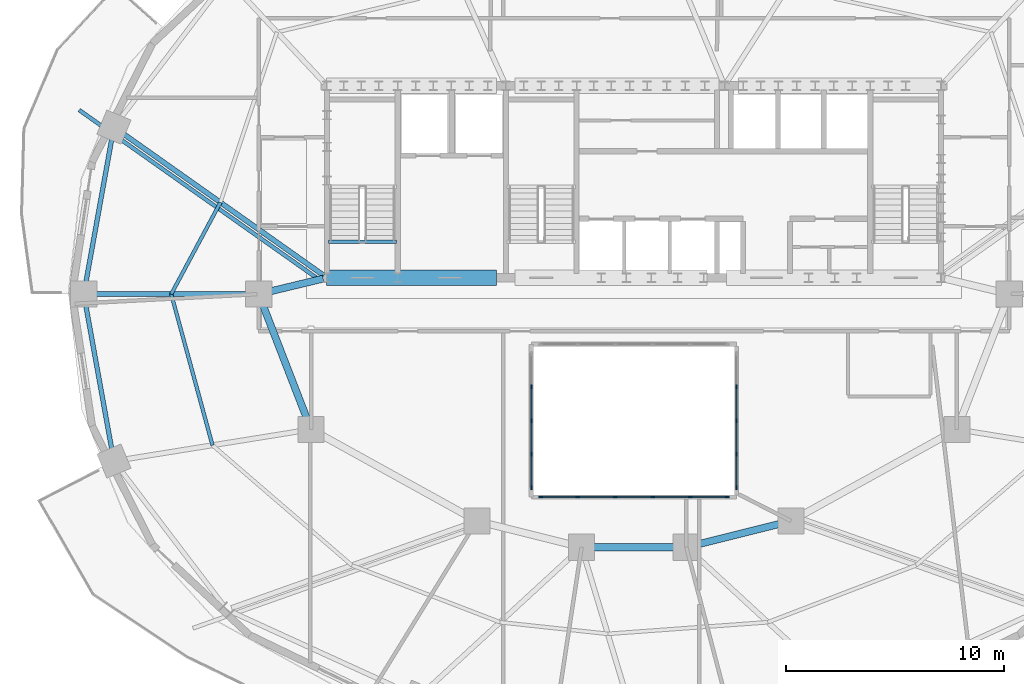
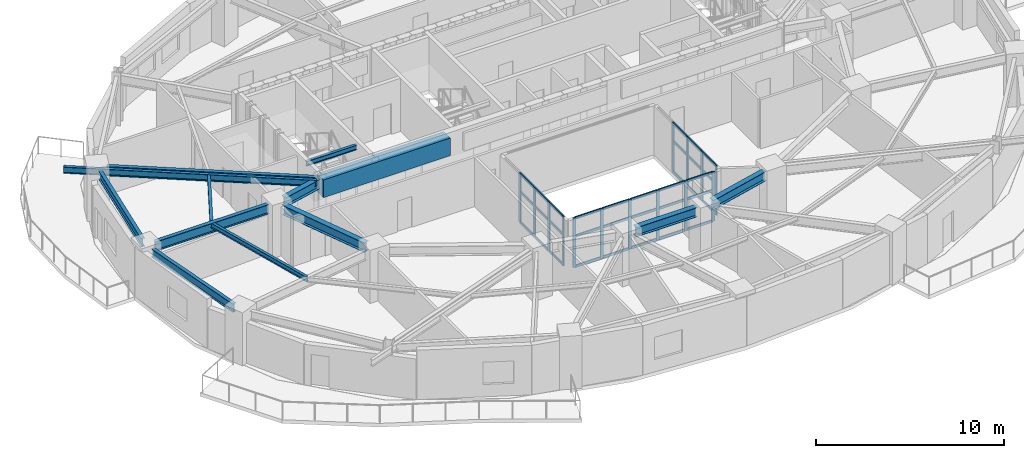
# One storey, part 2 of 11: 47 members, 13 beams, 3 elements without a shape of their own.
"""IFC4 building model written with IfcOpenShell, lengths in metres."""

from ifc_helpers import new_model, si_unit, direction, frame, origin, origin_2d, place, context, subcontext, project, spatial, rectangle, i_section, extrude, material, material_profile, profile_set, type_object, element, aggregate, save


model = new_model("IFC4")

# Units and contexts
model_context = context("Model", 3, precision=1e-05, world=origin(), true_north=direction((0.0, 1.0)))
body_context = subcontext(model_context, "Body", "Model", "MODEL_VIEW")
ifc_project = project(units=[si_unit("LENGTHUNIT", "METRE"), si_unit("AREAUNIT", "SQUARE_METRE"), si_unit("VOLUMEUNIT", "CUBIC_METRE"), si_unit("PLANEANGLEUNIT", "RADIAN"), si_unit("MASSUNIT", "GRAM", prefix="KILO")], contexts=[model_context])

# Site, building, storey
site_placement = place(None, origin())
site = spatial("IfcSite", under=ifc_project, at=site_placement, CompositionType="ELEMENT")
building_placement = place(site_placement, origin())
building = spatial("IfcBuilding", under=site, at=building_placement, Name="Haldorwick Loom Tower", CompositionType="ELEMENT")
storey_placement = place(building_placement, frame((0.0, 0.0, 171.699951171875)))
storey = spatial("IfcBuildingStorey", under=building, at=storey_placement, Name="L46", CompositionType="ELEMENT", Elevation=171.699951171875)

# Curtain wall, members
ifc_material_1 = material(Name="Thermally Broken Anodized Aluminium Curtain Wall Framing", Category="aluminium")
curtain_wall_type = type_object("IfcCurtainWallType", Name="ARC-CW-03", PredefinedType="NOTDEFINED", material=ifc_material_1)
curtain_wall_1_placement = place(storey_placement, origin())
curtain_wall_1 = element("IfcCurtainWall", 1, at=curtain_wall_1_placement, inside=storey, type_object=curtain_wall_type, Name="L46 Atrium Glazed Screen S", PredefinedType="NOTDEFINED")
ifc_material_profile_1 = material_profile(ifc_material_1, rectangle(XDim=0.06591796875, YDim=0.18505859375, at=origin_2d()), Name="ALU_MUL_66X185", Category="aluminium")
ifc_profile_set_1 = profile_set([ifc_material_profile_1], Name="Thermally Broken Anodized Aluminium Curtain Wall Framing")
member_type_1 = type_object("IfcMemberType", Name="ARC-CWM-03", PredefinedType="MULLION", material=ifc_profile_set_1)
member_1_placement = place(storey_placement, frame((40.26708984375, 16.699951171875, 0.0), z_axis=(0.0, 0.0, 1.0), x_axis=(0.0, -1.0, 0.0)))
member_1 = element("IfcMember", 2, at=member_1_placement, type_object=member_type_1, Name="CW-03 mullion 1", PredefinedType="MULLION", context=body_context, shape_type="SweptSolid", body=[
    extrude(rectangle(XDim=0.06591796875, YDim=0.18505859375, at=origin_2d()), origin(), (0.0, 0.0, 1.0), 3.2099609375),
])
member_2_placement = place(storey_placement, frame((38.580078125, 16.699951171875, 0.0), z_axis=(0.0, 0.0, 1.0), x_axis=(0.0, -1.0, 0.0)))
member_2 = element("IfcMember", 3, at=member_2_placement, type_object=member_type_1, Name="CW-03 mullion 2", PredefinedType="MULLION", context=body_context, shape_type="SweptSolid", body=[
    extrude(rectangle(XDim=0.06591796875, YDim=0.18505859375, at=origin_2d()), origin(), (0.0, 0.0, 1.0), 3.2099609375),
])
member_3_placement = place(storey_placement, frame((36.860107421875, 16.699951171875, 0.0), z_axis=(0.0, 0.0, 1.0), x_axis=(0.0, -1.0, 0.0)))
member_3 = element("IfcMember", 4, at=member_3_placement, type_object=member_type_1, Name="CW-03 mullion 3", PredefinedType="MULLION", context=body_context, shape_type="SweptSolid", body=[
    extrude(rectangle(XDim=0.06591796875, YDim=0.18505859375, at=origin_2d()), origin(), (0.0, 0.0, 1.0), 3.2099609375),
])
member_4_placement = place(storey_placement, frame((35.139892578125, 16.699951171875, 0.0), z_axis=(0.0, 0.0, 1.0), x_axis=(0.0, -1.0, 0.0)))
member_4 = element("IfcMember", 5, at=member_4_placement, type_object=member_type_1, Name="CW-03 mullion 4", PredefinedType="MULLION", context=body_context, shape_type="SweptSolid", body=[
    extrude(rectangle(XDim=0.06591796875, YDim=0.18505859375, at=origin_2d()), origin(), (0.0, 0.0, 1.0), 3.2099609375),
])
member_5_placement = place(storey_placement, frame((33.419921875, 16.699951171875, 0.0), z_axis=(0.0, 0.0, 1.0), x_axis=(0.0, -1.0, 0.0)))
member_5 = element("IfcMember", 6, at=member_5_placement, type_object=member_type_1, Name="CW-03 mullion 5", PredefinedType="MULLION", context=body_context, shape_type="SweptSolid", body=[
    extrude(rectangle(XDim=0.06591796875, YDim=0.18505859375, at=origin_2d()), origin(), (0.0, 0.0, 1.0), 3.2099609375),
])
member_6_placement = place(storey_placement, frame((31.73291015625, 16.699951171875, 0.0), z_axis=(0.0, 0.0, 1.0), x_axis=(0.0, -1.0, 0.0)))
member_6 = element("IfcMember", 7, at=member_6_placement, type_object=member_type_1, Name="CW-03 mullion 6", PredefinedType="MULLION", context=body_context, shape_type="SweptSolid", body=[
    extrude(rectangle(XDim=0.06591796875, YDim=0.18505859375, at=origin_2d()), origin(), (0.0, 0.0, 1.0), 3.2099609375),
])

curtain_wall_2_placement = place(storey_placement, origin())
curtain_wall_2 = element("IfcCurtainWall", 8, at=curtain_wall_2_placement, inside=storey, type_object=curtain_wall_type, Name="L46 Atrium Glazed Screen W", PredefinedType="NOTDEFINED")
member_7_placement = place(storey_placement, frame((31.300048828125, 17.133056640625, 0.0), z_axis=(0.0, 0.0, 1.0), x_axis=(-1.0, 0.0, 0.0)))
member_7 = element("IfcMember", 9, at=member_7_placement, type_object=member_type_1, Name="CW-03 mullion 1", PredefinedType="MULLION", context=body_context, shape_type="SweptSolid", body=[
    extrude(rectangle(XDim=0.06591796875, YDim=0.18505859375, at=origin_2d()), origin(), (0.0, 0.0, 1.0), 3.2099609375),
])
member_8_placement = place(storey_placement, frame((31.300048828125, 18.64990234375, 0.0), z_axis=(0.0, 0.0, 1.0), x_axis=(-1.0, 0.0, 0.0)))
member_8 = element("IfcMember", 10, at=member_8_placement, type_object=member_type_1, Name="CW-03 mullion 2", PredefinedType="MULLION", context=body_context, shape_type="SweptSolid", body=[
    extrude(rectangle(XDim=0.06591796875, YDim=0.18505859375, at=origin_2d()), origin(), (0.0, 0.0, 1.0), 3.2099609375),
])
member_9_placement = place(storey_placement, frame((31.300048828125, 20.199951171875, 0.0), z_axis=(0.0, 0.0, 1.0), x_axis=(-1.0, 0.0, 0.0)))
member_9 = element("IfcMember", 11, at=member_9_placement, type_object=member_type_1, Name="CW-03 mullion 3", PredefinedType="MULLION", context=body_context, shape_type="SweptSolid", body=[
    extrude(rectangle(XDim=0.06591796875, YDim=0.18505859375, at=origin_2d()), origin(), (0.0, 0.0, 1.0), 3.2099609375),
])
member_10_placement = place(storey_placement, frame((31.300048828125, 21.75, 0.0), z_axis=(0.0, 0.0, 1.0), x_axis=(-1.0, 0.0, 0.0)))
member_10 = element("IfcMember", 12, at=member_10_placement, type_object=member_type_1, Name="CW-03 mullion 4", PredefinedType="MULLION", context=body_context, shape_type="SweptSolid", body=[
    extrude(rectangle(XDim=0.06591796875, YDim=0.18505859375, at=origin_2d()), origin(), (0.0, 0.0, 1.0), 3.2099609375),
])

curtain_wall_3_placement = place(storey_placement, origin())
curtain_wall_3 = element("IfcCurtainWall", 13, at=curtain_wall_3_placement, inside=storey, type_object=curtain_wall_type, Name="L46 Atrium Glazed Screen E", PredefinedType="NOTDEFINED")
member_11_placement = place(storey_placement, frame((40.699951171875, 21.75, 0.0), z_axis=(0.0, 0.0, 1.0), x_axis=(1.0, 0.0, 0.0)))
member_11 = element("IfcMember", 14, at=member_11_placement, type_object=member_type_1, Name="CW-03 mullion 2", PredefinedType="MULLION", context=body_context, shape_type="SweptSolid", body=[
    extrude(rectangle(XDim=0.06591796875, YDim=0.18505859375, at=origin_2d()), origin(), (0.0, 0.0, 1.0), 3.2099609375),
])
member_12_placement = place(storey_placement, frame((40.699951171875, 20.199951171875, 0.0), z_axis=(0.0, 0.0, 1.0), x_axis=(1.0, 0.0, 0.0)))
member_12 = element("IfcMember", 15, at=member_12_placement, type_object=member_type_1, Name="CW-03 mullion 3", PredefinedType="MULLION", context=body_context, shape_type="SweptSolid", body=[
    extrude(rectangle(XDim=0.06591796875, YDim=0.18505859375, at=origin_2d()), origin(), (0.0, 0.0, 1.0), 3.2099609375),
])
member_13_placement = place(storey_placement, frame((40.699951171875, 18.64990234375, 0.0), z_axis=(0.0, 0.0, 1.0), x_axis=(1.0, 0.0, 0.0)))
member_13 = element("IfcMember", 16, at=member_13_placement, type_object=member_type_1, Name="CW-03 mullion 4", PredefinedType="MULLION", context=body_context, shape_type="SweptSolid", body=[
    extrude(rectangle(XDim=0.06591796875, YDim=0.18505859375, at=origin_2d()), origin(), (0.0, 0.0, 1.0), 3.2099609375),
])
member_14_placement = place(storey_placement, frame((40.699951171875, 17.133056640625, 0.0), z_axis=(0.0, 0.0, 1.0), x_axis=(1.0, 0.0, 0.0)))
member_14 = element("IfcMember", 17, at=member_14_placement, type_object=member_type_1, Name="CW-03 mullion 5", PredefinedType="MULLION", context=body_context, shape_type="SweptSolid", body=[
    extrude(rectangle(XDim=0.06591796875, YDim=0.18505859375, at=origin_2d()), origin(), (0.0, 0.0, 1.0), 3.2099609375),
])

# Member
ifc_material_profile_2 = material_profile(ifc_material_1, rectangle(XDim=0.06591796875, YDim=0.1650390625, at=origin_2d()), Name="ALU_TRN_66X165", Category="aluminium")
ifc_profile_set_2 = profile_set([ifc_material_profile_2], Name="Thermally Broken Anodized Aluminium Curtain Wall Framing")
member_type_2 = type_object("IfcMemberType", Name="ARC-CWT-03", PredefinedType="USERDEFINED", material=ifc_profile_set_2)
member_15_placement = place(storey_placement, frame((40.23388671875, 16.699951171875, 0.032958984375), z_axis=(-1.0, 0.0, 0.0), x_axis=(0.0, -1.0, 0.0)))
member_15 = element("IfcMember", 18, at=member_15_placement, type_object=member_type_2, Name="CW-03 transom 1.1", ObjectType="TRANSOM", PredefinedType="USERDEFINED", context=body_context, shape_type="SweptSolid", body=[
    extrude(rectangle(XDim=0.06591796875, YDim=0.1650390625, at=origin_2d()), origin(), (0.0, 0.0, 1.0), 1.620849609375),
])

member_16_placement = place(storey_placement, frame((40.23388671875, 16.699951171875, 2.0), z_axis=(-1.0, 0.0, 0.0), x_axis=(0.0, -1.0, 0.0)))
member_16 = element("IfcMember", 19, at=member_16_placement, type_object=member_type_2, Name="CW-03 transom 1.2", ObjectType="TRANSOM", PredefinedType="USERDEFINED", context=body_context, shape_type="SweptSolid", body=[
    extrude(rectangle(XDim=0.06591796875, YDim=0.1650390625, at=origin_2d()), origin(), (0.0, 0.0, 1.0), 1.620849609375),
])

member_17_placement = place(storey_placement, frame((40.23388671875, 16.699951171875, 3.177001953125), z_axis=(-1.0, 0.0, 0.0), x_axis=(0.0, -1.0, 0.0)))
member_17 = element("IfcMember", 20, at=member_17_placement, type_object=member_type_2, Name="CW-03 transom 1.3", ObjectType="TRANSOM", PredefinedType="USERDEFINED", context=body_context, shape_type="SweptSolid", body=[
    extrude(rectangle(XDim=0.06591796875, YDim=0.1650390625, at=origin_2d()), origin(), (0.0, 0.0, 1.0), 1.620849609375),
])

member_18_placement = place(storey_placement, frame((38.547119140625, 16.699951171875, 0.032958984375), z_axis=(-1.0, 0.0, 0.0), x_axis=(0.0, -1.0, 0.0)))
member_18 = element("IfcMember", 21, at=member_18_placement, type_object=member_type_2, Name="CW-03 transom 2.1", ObjectType="TRANSOM", PredefinedType="USERDEFINED", context=body_context, shape_type="SweptSolid", body=[
    extrude(rectangle(XDim=0.06591796875, YDim=0.1650390625, at=origin_2d()), origin(), (0.0, 0.0, 1.0), 1.654052734375),
])

member_19_placement = place(storey_placement, frame((38.547119140625, 16.699951171875, 2.0), z_axis=(-1.0, 0.0, 0.0), x_axis=(0.0, -1.0, 0.0)))
member_19 = element("IfcMember", 22, at=member_19_placement, type_object=member_type_2, Name="CW-03 transom 2.2", ObjectType="TRANSOM", PredefinedType="USERDEFINED", context=body_context, shape_type="SweptSolid", body=[
    extrude(rectangle(XDim=0.06591796875, YDim=0.1650390625, at=origin_2d()), origin(), (0.0, 0.0, 1.0), 1.654052734375),
])

member_20_placement = place(storey_placement, frame((38.547119140625, 16.699951171875, 3.177001953125), z_axis=(-1.0, 0.0, 0.0), x_axis=(0.0, -1.0, 0.0)))
member_20 = element("IfcMember", 23, at=member_20_placement, type_object=member_type_2, Name="CW-03 transom 2.3", ObjectType="TRANSOM", PredefinedType="USERDEFINED", context=body_context, shape_type="SweptSolid", body=[
    extrude(rectangle(XDim=0.06591796875, YDim=0.1650390625, at=origin_2d()), origin(), (0.0, 0.0, 1.0), 1.654052734375),
])

member_21_placement = place(storey_placement, frame((36.826904296875, 16.699951171875, 0.032958984375), z_axis=(-1.0, 0.0, 0.0), x_axis=(0.0, -1.0, 0.0)))
member_21 = element("IfcMember", 24, at=member_21_placement, type_object=member_type_2, Name="CW-03 transom 3.1", ObjectType="TRANSOM", PredefinedType="USERDEFINED", context=body_context, shape_type="SweptSolid", body=[
    extrude(rectangle(XDim=0.06591796875, YDim=0.1650390625, at=origin_2d()), origin(), (0.0, 0.0, 1.0), 1.65380859375),
])

member_22_placement = place(storey_placement, frame((36.826904296875, 16.699951171875, 2.0), z_axis=(-1.0, 0.0, 0.0), x_axis=(0.0, -1.0, 0.0)))
member_22 = element("IfcMember", 25, at=member_22_placement, type_object=member_type_2, Name="CW-03 transom 3.2", ObjectType="TRANSOM", PredefinedType="USERDEFINED", context=body_context, shape_type="SweptSolid", body=[
    extrude(rectangle(XDim=0.06591796875, YDim=0.1650390625, at=origin_2d()), origin(), (0.0, 0.0, 1.0), 1.65380859375),
])

member_23_placement = place(storey_placement, frame((36.826904296875, 16.699951171875, 3.177001953125), z_axis=(-1.0, 0.0, 0.0), x_axis=(0.0, -1.0, 0.0)))
member_23 = element("IfcMember", 26, at=member_23_placement, type_object=member_type_2, Name="CW-03 transom 3.3", ObjectType="TRANSOM", PredefinedType="USERDEFINED", context=body_context, shape_type="SweptSolid", body=[
    extrude(rectangle(XDim=0.06591796875, YDim=0.1650390625, at=origin_2d()), origin(), (0.0, 0.0, 1.0), 1.65380859375),
])

member_24_placement = place(storey_placement, frame((35.10693359375, 16.699951171875, 0.032958984375), z_axis=(-1.0, 0.0, 0.0), x_axis=(0.0, -1.0, 0.0)))
member_24 = element("IfcMember", 27, at=member_24_placement, type_object=member_type_2, Name="CW-03 transom 4.1", ObjectType="TRANSOM", PredefinedType="USERDEFINED", context=body_context, shape_type="SweptSolid", body=[
    extrude(rectangle(XDim=0.06591796875, YDim=0.1650390625, at=origin_2d()), origin(), (0.0, 0.0, 1.0), 1.654052734375),
])

member_25_placement = place(storey_placement, frame((35.10693359375, 16.699951171875, 2.0), z_axis=(-1.0, 0.0, 0.0), x_axis=(0.0, -1.0, 0.0)))
member_25 = element("IfcMember", 28, at=member_25_placement, type_object=member_type_2, Name="CW-03 transom 4.2", ObjectType="TRANSOM", PredefinedType="USERDEFINED", context=body_context, shape_type="SweptSolid", body=[
    extrude(rectangle(XDim=0.06591796875, YDim=0.1650390625, at=origin_2d()), origin(), (0.0, 0.0, 1.0), 1.654052734375),
])

member_26_placement = place(storey_placement, frame((35.10693359375, 16.699951171875, 3.177001953125), z_axis=(-1.0, 0.0, 0.0), x_axis=(0.0, -1.0, 0.0)))
member_26 = element("IfcMember", 29, at=member_26_placement, type_object=member_type_2, Name="CW-03 transom 4.3", ObjectType="TRANSOM", PredefinedType="USERDEFINED", context=body_context, shape_type="SweptSolid", body=[
    extrude(rectangle(XDim=0.06591796875, YDim=0.1650390625, at=origin_2d()), origin(), (0.0, 0.0, 1.0), 1.654052734375),
])

member_27_placement = place(storey_placement, frame((33.386962890625, 16.699951171875, 0.032958984375), z_axis=(-1.0, 0.0, 0.0), x_axis=(0.0, -1.0, 0.0)))
member_27 = element("IfcMember", 30, at=member_27_placement, type_object=member_type_2, Name="CW-03 transom 5.1", ObjectType="TRANSOM", PredefinedType="USERDEFINED", context=body_context, shape_type="SweptSolid", body=[
    extrude(rectangle(XDim=0.06591796875, YDim=0.1650390625, at=origin_2d()), origin(), (0.0, 0.0, 1.0), 1.620849609375),
])

member_28_placement = place(storey_placement, frame((33.386962890625, 16.699951171875, 2.0), z_axis=(-1.0, 0.0, 0.0), x_axis=(0.0, -1.0, 0.0)))
member_28 = element("IfcMember", 31, at=member_28_placement, type_object=member_type_2, Name="CW-03 transom 5.2", ObjectType="TRANSOM", PredefinedType="USERDEFINED", context=body_context, shape_type="SweptSolid", body=[
    extrude(rectangle(XDim=0.06591796875, YDim=0.1650390625, at=origin_2d()), origin(), (0.0, 0.0, 1.0), 1.620849609375),
])

member_29_placement = place(storey_placement, frame((33.386962890625, 16.699951171875, 3.177001953125), z_axis=(-1.0, 0.0, 0.0), x_axis=(0.0, -1.0, 0.0)))
member_29 = element("IfcMember", 32, at=member_29_placement, type_object=member_type_2, Name="CW-03 transom 5.3", ObjectType="TRANSOM", PredefinedType="USERDEFINED", context=body_context, shape_type="SweptSolid", body=[
    extrude(rectangle(XDim=0.06591796875, YDim=0.1650390625, at=origin_2d()), origin(), (0.0, 0.0, 1.0), 1.620849609375),
])

aggregate(curtain_wall_1, [member_1, member_2, member_3, member_4, member_5, member_6, member_15, member_16, member_17, member_18, member_19, member_20, member_21, member_22, member_23, member_24, member_25, member_26, member_27, member_28, member_29])

member_30_placement = place(storey_placement, frame((31.300048828125, 17.166015625, 0.032958984375), z_axis=(0.0, 1.0, 0.0), x_axis=(-1.0, 0.0, 0.0)))
member_30 = element("IfcMember", 33, at=member_30_placement, type_object=member_type_2, Name="CW-03 transom 1.1", ObjectType="TRANSOM", PredefinedType="USERDEFINED", context=body_context, shape_type="SweptSolid", body=[
    extrude(rectangle(XDim=0.06591796875, YDim=0.1650390625, at=origin_2d()), origin(), (0.0, 0.0, 1.0), 1.450927734375),
])

member_31_placement = place(storey_placement, frame((31.300048828125, 17.166015625, 2.0), z_axis=(0.0, 1.0, 0.0), x_axis=(-1.0, 0.0, 0.0)))
member_31 = element("IfcMember", 34, at=member_31_placement, type_object=member_type_2, Name="CW-03 transom 1.2", ObjectType="TRANSOM", PredefinedType="USERDEFINED", context=body_context, shape_type="SweptSolid", body=[
    extrude(rectangle(XDim=0.06591796875, YDim=0.1650390625, at=origin_2d()), origin(), (0.0, 0.0, 1.0), 1.450927734375),
])

member_32_placement = place(storey_placement, frame((31.300048828125, 17.166015625, 3.177001953125), z_axis=(0.0, 1.0, 0.0), x_axis=(-1.0, 0.0, 0.0)))
member_32 = element("IfcMember", 35, at=member_32_placement, type_object=member_type_2, Name="CW-03 transom 1.3", ObjectType="TRANSOM", PredefinedType="USERDEFINED", context=body_context, shape_type="SweptSolid", body=[
    extrude(rectangle(XDim=0.06591796875, YDim=0.1650390625, at=origin_2d()), origin(), (0.0, 0.0, 1.0), 1.450927734375),
])

member_33_placement = place(storey_placement, frame((31.300048828125, 18.68310546875, 0.032958984375), z_axis=(0.0, 1.0, 0.0), x_axis=(-1.0, 0.0, 0.0)))
member_33 = element("IfcMember", 36, at=member_33_placement, type_object=member_type_2, Name="CW-03 transom 2.1", ObjectType="TRANSOM", PredefinedType="USERDEFINED", context=body_context, shape_type="SweptSolid", body=[
    extrude(rectangle(XDim=0.06591796875, YDim=0.1650390625, at=origin_2d()), origin(), (0.0, 0.0, 1.0), 1.48388671875),
])

member_34_placement = place(storey_placement, frame((31.300048828125, 18.68310546875, 2.0), z_axis=(0.0, 1.0, 0.0), x_axis=(-1.0, 0.0, 0.0)))
member_34 = element("IfcMember", 37, at=member_34_placement, type_object=member_type_2, Name="CW-03 transom 2.2", ObjectType="TRANSOM", PredefinedType="USERDEFINED", context=body_context, shape_type="SweptSolid", body=[
    extrude(rectangle(XDim=0.06591796875, YDim=0.1650390625, at=origin_2d()), origin(), (0.0, 0.0, 1.0), 1.48388671875),
])

member_35_placement = place(storey_placement, frame((31.300048828125, 18.68310546875, 3.177001953125), z_axis=(0.0, 1.0, 0.0), x_axis=(-1.0, 0.0, 0.0)))
member_35 = element("IfcMember", 38, at=member_35_placement, type_object=member_type_2, Name="CW-03 transom 2.3", ObjectType="TRANSOM", PredefinedType="USERDEFINED", context=body_context, shape_type="SweptSolid", body=[
    extrude(rectangle(XDim=0.06591796875, YDim=0.1650390625, at=origin_2d()), origin(), (0.0, 0.0, 1.0), 1.48388671875),
])

member_36_placement = place(storey_placement, frame((31.300048828125, 20.23291015625, 0.032958984375), z_axis=(0.0, 1.0, 0.0), x_axis=(-1.0, 0.0, 0.0)))
member_36 = element("IfcMember", 39, at=member_36_placement, type_object=member_type_2, Name="CW-03 transom 3.1", ObjectType="TRANSOM", PredefinedType="USERDEFINED", context=body_context, shape_type="SweptSolid", body=[
    extrude(rectangle(XDim=0.06591796875, YDim=0.1650390625, at=origin_2d()), origin(), (0.0, 0.0, 1.0), 1.484130859375),
])

member_37_placement = place(storey_placement, frame((31.300048828125, 20.23291015625, 2.0), z_axis=(0.0, 1.0, 0.0), x_axis=(-1.0, 0.0, 0.0)))
member_37 = element("IfcMember", 40, at=member_37_placement, type_object=member_type_2, Name="CW-03 transom 3.2", ObjectType="TRANSOM", PredefinedType="USERDEFINED", context=body_context, shape_type="SweptSolid", body=[
    extrude(rectangle(XDim=0.06591796875, YDim=0.1650390625, at=origin_2d()), origin(), (0.0, 0.0, 1.0), 1.484130859375),
])

member_38_placement = place(storey_placement, frame((31.300048828125, 20.23291015625, 3.177001953125), z_axis=(0.0, 1.0, 0.0), x_axis=(-1.0, 0.0, 0.0)))
member_38 = element("IfcMember", 41, at=member_38_placement, type_object=member_type_2, Name="CW-03 transom 3.3", ObjectType="TRANSOM", PredefinedType="USERDEFINED", context=body_context, shape_type="SweptSolid", body=[
    extrude(rectangle(XDim=0.06591796875, YDim=0.1650390625, at=origin_2d()), origin(), (0.0, 0.0, 1.0), 1.484130859375),
])

aggregate(curtain_wall_2, [member_7, member_8, member_9, member_10, member_30, member_31, member_32, member_33, member_34, member_35, member_36, member_37, member_38])

member_39_placement = place(storey_placement, frame((40.699951171875, 21.717041015625, 0.032958984375), z_axis=(0.0, -1.0, 0.0), x_axis=(1.0, 0.0, 0.0)))
member_39 = element("IfcMember", 42, at=member_39_placement, type_object=member_type_2, Name="CW-03 transom 2.1", ObjectType="TRANSOM", PredefinedType="USERDEFINED", context=body_context, shape_type="SweptSolid", body=[
    extrude(rectangle(XDim=0.06591796875, YDim=0.1650390625, at=origin_2d()), origin(), (0.0, 0.0, 1.0), 1.484130859375),
])

member_40_placement = place(storey_placement, frame((40.699951171875, 21.717041015625, 2.0), z_axis=(0.0, -1.0, 0.0), x_axis=(1.0, 0.0, 0.0)))
member_40 = element("IfcMember", 43, at=member_40_placement, type_object=member_type_2, Name="CW-03 transom 2.2", ObjectType="TRANSOM", PredefinedType="USERDEFINED", context=body_context, shape_type="SweptSolid", body=[
    extrude(rectangle(XDim=0.06591796875, YDim=0.1650390625, at=origin_2d()), origin(), (0.0, 0.0, 1.0), 1.484130859375),
])

member_41_placement = place(storey_placement, frame((40.699951171875, 21.717041015625, 3.177001953125), z_axis=(0.0, -1.0, 0.0), x_axis=(1.0, 0.0, 0.0)))
member_41 = element("IfcMember", 44, at=member_41_placement, type_object=member_type_2, Name="CW-03 transom 2.3", ObjectType="TRANSOM", PredefinedType="USERDEFINED", context=body_context, shape_type="SweptSolid", body=[
    extrude(rectangle(XDim=0.06591796875, YDim=0.1650390625, at=origin_2d()), origin(), (0.0, 0.0, 1.0), 1.484130859375),
])

member_42_placement = place(storey_placement, frame((40.699951171875, 20.1669921875, 0.032958984375), z_axis=(0.0, -1.0, 0.0), x_axis=(1.0, 0.0, 0.0)))
member_42 = element("IfcMember", 45, at=member_42_placement, type_object=member_type_2, Name="CW-03 transom 3.1", ObjectType="TRANSOM", PredefinedType="USERDEFINED", context=body_context, shape_type="SweptSolid", body=[
    extrude(rectangle(XDim=0.06591796875, YDim=0.1650390625, at=origin_2d()), origin(), (0.0, 0.0, 1.0), 1.48388671875),
])

member_43_placement = place(storey_placement, frame((40.699951171875, 20.1669921875, 2.0), z_axis=(0.0, -1.0, 0.0), x_axis=(1.0, 0.0, 0.0)))
member_43 = element("IfcMember", 46, at=member_43_placement, type_object=member_type_2, Name="CW-03 transom 3.2", ObjectType="TRANSOM", PredefinedType="USERDEFINED", context=body_context, shape_type="SweptSolid", body=[
    extrude(rectangle(XDim=0.06591796875, YDim=0.1650390625, at=origin_2d()), origin(), (0.0, 0.0, 1.0), 1.48388671875),
])

member_44_placement = place(storey_placement, frame((40.699951171875, 20.1669921875, 3.177001953125), z_axis=(0.0, -1.0, 0.0), x_axis=(1.0, 0.0, 0.0)))
member_44 = element("IfcMember", 47, at=member_44_placement, type_object=member_type_2, Name="CW-03 transom 3.3", ObjectType="TRANSOM", PredefinedType="USERDEFINED", context=body_context, shape_type="SweptSolid", body=[
    extrude(rectangle(XDim=0.06591796875, YDim=0.1650390625, at=origin_2d()), origin(), (0.0, 0.0, 1.0), 1.48388671875),
])

member_45_placement = place(storey_placement, frame((40.699951171875, 18.616943359375, 0.032958984375), z_axis=(0.0, -1.0, 0.0), x_axis=(1.0, 0.0, 0.0)))
member_45 = element("IfcMember", 48, at=member_45_placement, type_object=member_type_2, Name="CW-03 transom 4.1", ObjectType="TRANSOM", PredefinedType="USERDEFINED", context=body_context, shape_type="SweptSolid", body=[
    extrude(rectangle(XDim=0.06591796875, YDim=0.1650390625, at=origin_2d()), origin(), (0.0, 0.0, 1.0), 1.450927734375),
])

member_46_placement = place(storey_placement, frame((40.699951171875, 18.616943359375, 2.0), z_axis=(0.0, -1.0, 0.0), x_axis=(1.0, 0.0, 0.0)))
member_46 = element("IfcMember", 49, at=member_46_placement, type_object=member_type_2, Name="CW-03 transom 4.2", ObjectType="TRANSOM", PredefinedType="USERDEFINED", context=body_context, shape_type="SweptSolid", body=[
    extrude(rectangle(XDim=0.06591796875, YDim=0.1650390625, at=origin_2d()), origin(), (0.0, 0.0, 1.0), 1.450927734375),
])

member_47_placement = place(storey_placement, frame((40.699951171875, 18.616943359375, 3.177001953125), z_axis=(0.0, -1.0, 0.0), x_axis=(1.0, 0.0, 0.0)))
member_47 = element("IfcMember", 50, at=member_47_placement, type_object=member_type_2, Name="CW-03 transom 4.3", ObjectType="TRANSOM", PredefinedType="USERDEFINED", context=body_context, shape_type="SweptSolid", body=[
    extrude(rectangle(XDim=0.06591796875, YDim=0.1650390625, at=origin_2d()), origin(), (0.0, 0.0, 1.0), 1.450927734375),
])

aggregate(curtain_wall_3, [member_11, member_12, member_13, member_14, member_39, member_40, member_41, member_42, member_43, member_44, member_45, member_46, member_47])

# Beams
ifc_material_2 = material(Name="Steel CSA G40.21 350W", Category="steel")
ifc_material_profile_3 = material_profile(ifc_material_2, i_section(OverallWidth=0.179931640625, OverallDepth=0.4130859375, WebThickness=0.009765625, FlangeThickness=0.01611328125, at=origin_2d()), Name="W410X74", Category="steel")
ifc_profile_set_3 = profile_set([ifc_material_profile_3], Name="Steel CSA G40.21 350W")
beam_type_1 = type_object("IfcBeamType", Name="STR-BM-BAL410", PredefinedType="BEAM", material=ifc_profile_set_3)
beam_1_placement = place(storey_placement, frame((21.623046875, 26.6240234375, 3.003662109375), z_axis=(-0.816570167076, 0.57724618859, 0.0), x_axis=(-0.57724618859, -0.816570167076, 0.0)))
element("IfcBeam", 51, at=beam_1_placement, inside=storey, type_object=beam_type_1, Name="L46 Continuous Back-Spanned Balcony Beam 3", PredefinedType="BEAM", context=body_context, shape_type="SweptSolid", body=[
    extrude(i_section(OverallWidth=0.179931640625, OverallDepth=0.4130859375, WebThickness=0.009765625, FlangeThickness=0.01611328125, at=origin_2d()), origin(), (0.0, 0.0, 1.0), 13.531982421875),
])
ifc_material_3 = material(Name="Concrete C60 (60 MPa)", Category="concrete")
ifc_material_profile_4 = material_profile(ifc_material_3, rectangle(XDim=0.699951171875, YDim=1.14990234375, at=origin_2d()), Name="RC700X1150", Category="concrete")
ifc_profile_set_4 = profile_set([ifc_material_profile_4], Name="Concrete C60 (60 MPa)")
beam_type_2 = type_object("IfcBeamType", Name="STR-BM-CB1150", PredefinedType="LINTEL", material=ifc_profile_set_4)
beam_2_placement = place(storey_placement, frame((21.89990234375, 26.75, 2.635009765625), z_axis=(1.0, 0.0, 0.0), x_axis=(0.0, 1.0, 0.0)))
element("IfcBeam", 52, at=beam_2_placement, inside=storey, type_object=beam_type_2, Name="L46 Core Coupling Beam CB-S1", PredefinedType="LINTEL", context=body_context, shape_type="SweptSolid", body=[
    extrude(rectangle(XDim=0.699951171875, YDim=1.14990234375, at=origin_2d()), origin(), (0.0, 0.0, 1.0), 7.800048828125),
])
ifc_material_profile_5 = material_profile(ifc_material_2, i_section(OverallWidth=0.166015625, OverallDepth=0.31298828125, WebThickness=0.006591796875, FlangeThickness=0.01123046875, at=origin_2d()), Name="W310X45", Category="steel")
ifc_profile_set_5 = profile_set([ifc_material_profile_5], Name="Steel CSA G40.21 350W")
beam_type_3 = type_object("IfcBeamType", Name="STR-BM-J310", PredefinedType="JOIST", material=ifc_profile_set_5)
beam_3_placement = place(storey_placement, frame((17.046875, 30.201904296875, 3.053466796875), z_axis=(-0.472930162238, -0.881099915813, 0.0), x_axis=(0.881099915813, -0.472930162238, 0.0)))
element("IfcBeam", 53, at=beam_3_placement, inside=storey, type_object=beam_type_3, Name="L46 Mid-Bay Secondary Joist 8", PredefinedType="JOIST", context=body_context, shape_type="SweptSolid", body=[
    extrude(i_section(OverallWidth=0.166015625, OverallDepth=0.31298828125, WebThickness=0.006591796875, FlangeThickness=0.01123046875, at=origin_2d()), origin(), (0.0, 0.0, 1.0), 4.76904296875),
])
beam_4_placement = place(storey_placement, frame((14.79150390625, 26.0, 3.053466796875), z_axis=(0.263272762578, -0.964721437766, 0.0), x_axis=(0.964721437766, 0.263272762578, 0.0)))
element("IfcBeam", 54, at=beam_4_placement, inside=storey, type_object=beam_type_3, Name="L46 Mid-Bay Secondary Joist 9", PredefinedType="JOIST", context=body_context, shape_type="SweptSolid", body=[
    extrude(i_section(OverallWidth=0.166015625, OverallDepth=0.31298828125, WebThickness=0.006591796875, FlangeThickness=0.01123046875, at=origin_2d()), origin(), (0.0, 0.0, 1.0), 7.180419921875),
])
ifc_material_profile_6 = material_profile(ifc_material_2, i_section(OverallWidth=0.2119140625, OverallDepth=0.5439453125, WebThickness=0.01318359375, FlangeThickness=0.021240234375, at=origin_2d()), Name="W530X123", Category="steel")
ifc_profile_set_6 = profile_set([ifc_material_profile_6], Name="Steel CSA G40.21 350W")
beam_type_4 = type_object("IfcBeamType", Name="STR-BM-SP530", PredefinedType="SPANDREL", material=ifc_profile_set_6)
for number, where, z_axis, x_axis, name in (
    (55, (12.071533203125, 33.14208984375, 2.93798828125), (-0.177558730702, -0.984110205796, 0.0), (0.984110205796, -0.177558730702, 0.0), "L46 Perimeter Spandrel 8"),
    (56, (10.875244140625, 25.48828125, 2.93798828125), (0.177558730702, -0.984110205796, 0.0), (0.984110205796, 0.177558730702, 0.0), "L46 Perimeter Spandrel 9"),
):
    element("IfcBeam", number, at=place(storey_placement, frame(where, z_axis=z_axis, x_axis=x_axis)), inside=storey, type_object=beam_type_4, Name=name, PredefinedType="SPANDREL", context=body_context, shape_type="SweptSolid", body=[
        extrude(i_section(OverallWidth=0.2119140625, OverallDepth=0.5439453125, WebThickness=0.01318359375, FlangeThickness=0.021240234375, at=origin_2d()), origin(), (0.0, 0.0, 1.0), 6.737548828125),
    ])
ifc_material_profile_7 = material_profile(ifc_material_2, i_section(OverallWidth=0.166015625, OverallDepth=0.31298828125, WebThickness=0.006591796875, FlangeThickness=0.01123046875, at=origin_2d()), Name="W310X45", Category="steel")
ifc_profile_set_7 = profile_set([ifc_material_profile_7], Name="Steel CSA G40.21 350W")
beam_type_5 = type_object("IfcBeamType", Name="STR-BM-STRM", PredefinedType="BEAM", material=ifc_profile_set_7)
beam_5_placement = place(storey_placement, frame((21.989990234375, 28.39990234375, 3.053466796875), z_axis=(1.0, 0.0, 0.0), x_axis=(0.0, 1.0, 0.0)))
element("IfcBeam", 57, at=beam_5_placement, inside=storey, type_object=beam_type_5, Name="L46 Stair ST-01 Landing Edge Trimmer", PredefinedType="BEAM", context=body_context, shape_type="SweptSolid", body=[
    extrude(i_section(OverallWidth=0.166015625, OverallDepth=0.31298828125, WebThickness=0.006591796875, FlangeThickness=0.01123046875, at=origin_2d()), origin(), (0.0, 0.0, 1.0), 3.1201171875),
])
ifc_material_profile_8 = material_profile(ifc_material_2, i_section(OverallWidth=0.324951171875, OverallDepth=0.615966796875, WebThickness=0.013916015625, FlangeThickness=0.021484375, at=origin_2d()), Name="W610X174", Category="steel")
ifc_profile_set_8 = profile_set([ifc_material_profile_8], Name="Steel CSA G40.21 350W")
beam_type_6 = type_object("IfcBeamType", Name="STR-BM-W610A", PredefinedType="BEAM", material=ifc_profile_set_8)
beam_6_placement = place(storey_placement, frame((42.695556640625, 15.473876953125, 2.902099609375), z_axis=(-0.970142500145, -0.242535625036, 0.0), x_axis=(0.242535625036, -0.970142500145, 0.0)))
element("IfcBeam", 58, at=beam_6_placement, inside=storey, type_object=beam_type_6, Name="L46 Inner Ring Girder 4", PredefinedType="BEAM", context=body_context, shape_type="SweptSolid", body=[
    extrude(i_section(OverallWidth=0.324951171875, OverallDepth=0.615966796875, WebThickness=0.013916015625, FlangeThickness=0.021484375, at=origin_2d()), origin(), (0.0, 0.0, 1.0), 3.90771484375),
])
beam_7_placement = place(storey_placement, frame((37.8798828125, 14.39990234375, 2.902099609375), z_axis=(-1.0, 0.0, 0.0), x_axis=(0.0, -1.0, 0.0)))
element("IfcBeam", 59, at=beam_7_placement, inside=storey, type_object=beam_type_6, Name="L46 Inner Ring Girder 5", PredefinedType="BEAM", context=body_context, shape_type="SweptSolid", body=[
    extrude(i_section(OverallWidth=0.324951171875, OverallDepth=0.615966796875, WebThickness=0.013916015625, FlangeThickness=0.021484375, at=origin_2d()), origin(), (0.0, 0.0, 1.0), 3.759765625),
])
beam_8_placement = place(storey_placement, frame((21.01220703125, 20.284912109375, 2.902099609375), z_axis=(-0.360964792353, 0.93257944363, 0.0), x_axis=(-0.93257944363, -0.360964792353, 0.0)))
element("IfcBeam", 60, at=beam_8_placement, inside=storey, type_object=beam_type_6, Name="L46 Inner Ring Girder 8", PredefinedType="BEAM", context=body_context, shape_type="SweptSolid", body=[
    extrude(i_section(OverallWidth=0.324951171875, OverallDepth=0.615966796875, WebThickness=0.013916015625, FlangeThickness=0.021484375, at=origin_2d()), origin(), (0.0, 0.0, 1.0), 5.6083984375),
])
beam_9_placement = place(storey_placement, frame((19.3056640625, 26.12109375, 2.902099609375), z_axis=(0.97246637463, 0.233043236789, 0.0), x_axis=(-0.233043236789, 0.97246637463, 0.0)))
element("IfcBeam", 61, at=beam_9_placement, inside=storey, type_object=beam_type_6, Name="L46 Inner Ring Girder 9", PredefinedType="BEAM", context=body_context, shape_type="SweptSolid", body=[
    extrude(i_section(OverallWidth=0.324951171875, OverallDepth=0.615966796875, WebThickness=0.013916015625, FlangeThickness=0.021484375, at=origin_2d()), origin(), (0.0, 0.0, 1.0), 2.5205078125),
])
ifc_material_profile_9 = material_profile(ifc_material_2, i_section(OverallWidth=0.22998046875, OverallDepth=0.616943359375, WebThickness=0.01318359375, FlangeThickness=0.022216796875, at=origin_2d()), Name="W610X140", Category="steel")
ifc_profile_set_9 = profile_set([ifc_material_profile_9], Name="Steel CSA G40.21 350W")
beam_type_7 = type_object("IfcBeamType", Name="STR-BM-W610B", PredefinedType="BEAM", material=ifc_profile_set_9)
beam_10_placement = place(storey_placement, frame((21.78466796875, 26.852783203125, 2.901611328125), z_axis=(-0.816581374163, 0.577230334763, 0.0), x_axis=(-0.577230334763, -0.816581374163, 0.0)))
element("IfcBeam", 62, at=beam_10_placement, inside=storey, type_object=beam_type_7, Name="L46 Radial Floor Girder 8", PredefinedType="BEAM", context=body_context, shape_type="SweptSolid", body=[
    extrude(i_section(OverallWidth=0.22998046875, OverallDepth=0.616943359375, WebThickness=0.01318359375, FlangeThickness=0.022216796875, at=origin_2d()), origin(), (0.0, 0.0, 1.0), 11.261962890625),
])
beam_11_placement = place(storey_placement, frame((18.280029296875, 26.0, 2.901611328125), z_axis=(-1.0, 0.0, 0.0), x_axis=(0.0, -1.0, 0.0)))
element("IfcBeam", 63, at=beam_11_placement, inside=storey, type_object=beam_type_7, Name="L46 Radial Floor Girder 9", PredefinedType="BEAM", context=body_context, shape_type="SweptSolid", body=[
    extrude(i_section(OverallWidth=0.22998046875, OverallDepth=0.616943359375, WebThickness=0.01318359375, FlangeThickness=0.022216796875, at=origin_2d()), origin(), (0.0, 0.0, 1.0), 6.97705078125),
])

save(model, "model.ifc")
